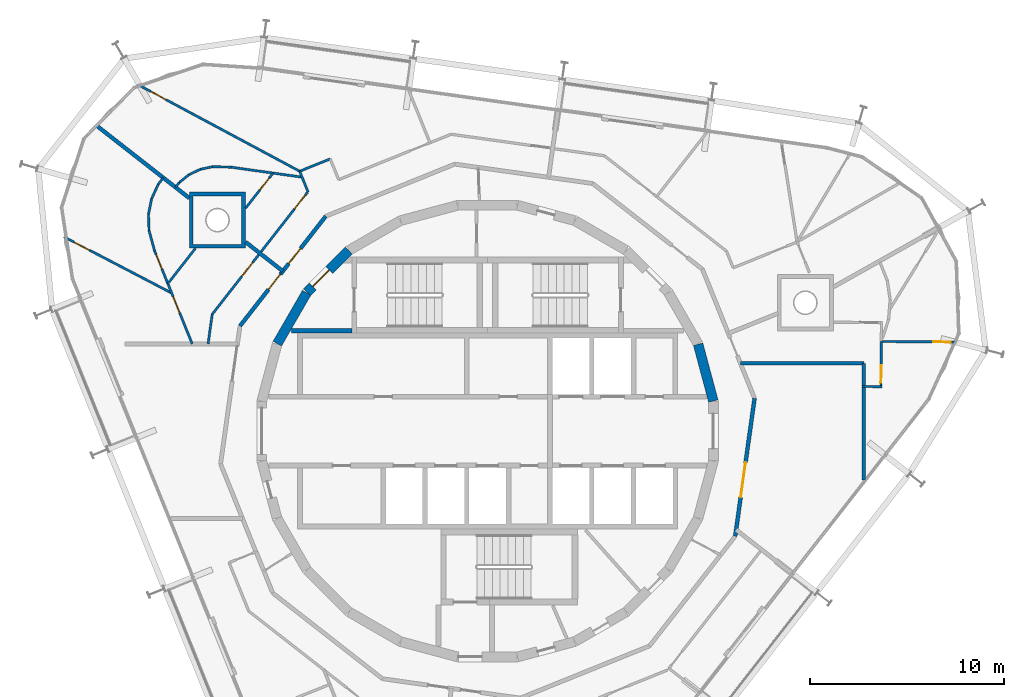
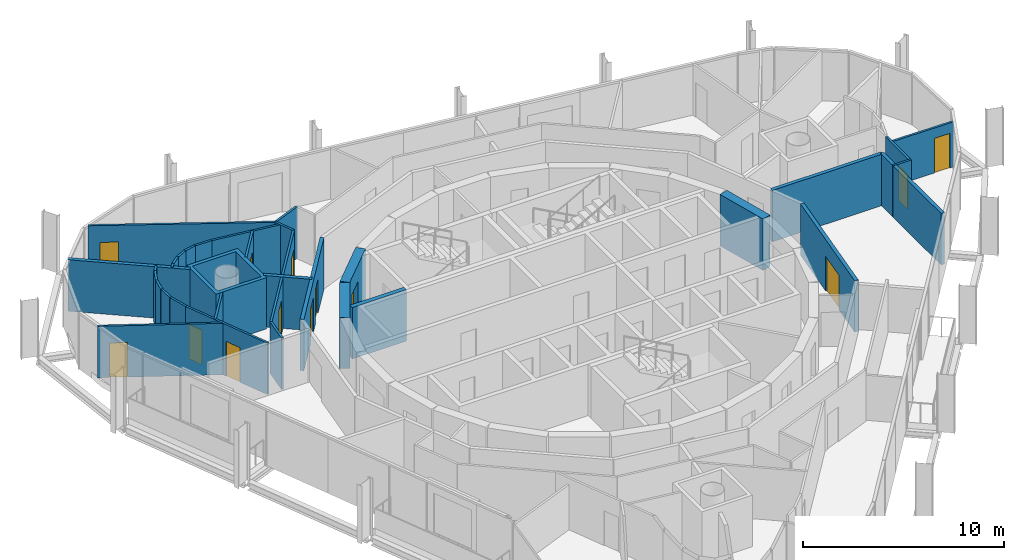
# One storey, part 12 of 15: 34 walls, 13 doors, 13 openings.
"""IFC4 building model written with IfcOpenShell, lengths in metres."""

from ifc_helpers import new_model, si_unit, direction, frame, frame_2d, origin, place, context, subcontext, project, spatial, polyline, rectangle, outline, extrude, material, layer, layer_set, type_object, element, fill, save


model = new_model("IFC4")

# Units and contexts
model_context = context("Model", 3, precision=1e-05, world=origin(), true_north=direction((0.0, 1.0)))
body_context = subcontext(model_context, "Body", "Model", "MODEL_VIEW")
ifc_project = project(units=[si_unit("LENGTHUNIT", "METRE"), si_unit("AREAUNIT", "SQUARE_METRE"), si_unit("VOLUMEUNIT", "CUBIC_METRE"), si_unit("PLANEANGLEUNIT", "RADIAN"), si_unit("MASSUNIT", "GRAM", prefix="KILO")], contexts=[model_context])

# Site, building, storey
site_placement = place(None, origin())
site = spatial("IfcSite", under=ifc_project, at=site_placement, CompositionType="ELEMENT")
building_placement = place(site_placement, origin())
building = spatial("IfcBuilding", under=site, at=building_placement, Name="Spindle Arch Residences", CompositionType="ELEMENT")
storey_placement = place(building_placement, frame((0.0, 0.0, 343.5)))
storey = spatial("IfcBuildingStorey", under=building, at=storey_placement, Name="L88", CompositionType="ELEMENT", Elevation=343.5)

# Wall
ifc_material_1 = material(Name="Concrete C50/60", Category="concrete")
ifc_layer_1 = layer(ifc_material_1, 0.5)
ifc_layer_set_1 = layer_set([ifc_layer_1], Name="Core outline wall 500")
wall_type_1 = type_object("IfcWallType", Name="Core outline wall 500", PredefinedType="SHEAR", material=ifc_layer_set_1)
wall_1_placement = place(storey_placement, frame((11.642822265625, 1.5498046875, 0.0), z_axis=(0.0, 0.0, 1.0), x_axis=(-0.258734743916, 0.965948410781, 0.0)))
element("IfcWall", 1, at=wall_1_placement, inside=storey, type_object=wall_type_1, Name="Core outline wall 7", PredefinedType="SHEAR", context=body_context, shape_type="SweptSolid", body=[
    extrude(rectangle(XDim=3.03271484375, YDim=0.5, at=frame_2d((1.516357421875, 0.0))), origin(), (0.0, 0.0, 1.0), 3.1201171875),
])

# Wall, opening, door
wall_2_placement = place(storey_placement, frame((-7.163818359375, 9.30810546875, 0.0), z_axis=(0.0, 0.0, 1.0), x_axis=(-0.707106781187, -0.707106781187, 0.0)))
wall_2 = element("IfcWall", 2, at=wall_2_placement, inside=storey, type_object=wall_type_1, Name="Core outline wall 15", PredefinedType="SHEAR", context=body_context, shape_type="SweptSolid", body=[
    extrude(rectangle(XDim=3.032470703125, YDim=0.5, at=frame_2d((1.51611328125, 0.0))), origin(), (0.0, 0.0, 1.0), 3.1201171875),
])
opening_1_placement = place(wall_2_placement, frame((1.416259765625, 0.0, 0.0)))
opening_1 = element("IfcOpeningElement", 3, at=opening_1_placement, cuts=wall_2, Name="Opening R9B1-AD02", PredefinedType="OPENING", context=body_context, shape_type="SweptSolid", body=[
    extrude(rectangle(XDim=1.199951171875, YDim=2.10009765625, at=frame_2d((0.60009765625, 1.050048828125))), frame((0.0, 0.260009765625, 0.0), z_axis=(0.0, -1.0, 0.0), x_axis=(1.0, 0.0, 0.0)), (0.0, 0.0, 1.0), 0.52001953125),
])
ifc_material_2 = material(Name="Steel, fire-resisting door", Category="steel")
door_type_1 = type_object("IfcDoorType", Name="Stair airlock door 1200x2100", OperationType="SINGLE_SWING_LEFT", PredefinedType="DOOR", material=ifc_material_2)
door_1_placement = place(opening_1_placement, origin())
door_1 = element("IfcDoor", 4, at=door_1_placement, inside=storey, type_object=door_type_1, Name="Stair airlock door R9B1-AD02", OperationType="SINGLE_SWING_RIGHT", OverallHeight=2.10009765625, OverallWidth=1.199951171875, PredefinedType="DOOR", context=body_context, shape_type="SweptSolid", body=[
    extrude(rectangle(XDim=1.199951171875, YDim=2.10009765625, at=frame_2d((0.60009765625, 1.050048828125))), frame((0.0, 0.02490234375, 0.0), z_axis=(0.0, -1.0, 0.0), x_axis=(1.0, 0.0, 0.0)), (0.0, 0.0, 1.0), 0.050048828125),
])
fill(opening_1, door_1)

# Wall
wall_3_placement = place(storey_placement, frame((-9.32861328125, 7.13671875, 0.0), z_axis=(0.0, 0.0, 1.0), x_axis=(-0.500087131594, -0.865975092491, 0.0)))
element("IfcWall", 5, at=wall_3_placement, inside=storey, type_object=wall_type_1, Name="Core outline wall 16", PredefinedType="SHEAR", context=body_context, shape_type="SweptSolid", body=[
    extrude(rectangle(XDim=3.03271484375, YDim=0.5, at=frame_2d((1.516357421875, 0.0))), origin(), (0.0, 0.0, 1.0), 3.1201171875),
])

# Wall, openings, doors
ifc_material_3 = material(Name="Calcium silicate block, plastered")
ifc_layer_2 = layer(ifc_material_3, 0.199951171875)
ifc_layer_set_2 = layer_set([ifc_layer_2], Name="Corridor wall 200")
wall_type_2 = type_object("IfcWallType", Name="Corridor wall 200", PredefinedType="STANDARD", material=ifc_layer_set_2)
wall_4_placement = place(storey_placement, frame((-8.348876953125, 11.0791015625, 0.0), z_axis=(0.0, 0.0, 1.0), x_axis=(-0.615669112324, -0.78800478687, 0.0)))
wall_4 = element("IfcWall", 6, at=wall_4_placement, inside=storey, type_object=wall_type_2, Name="Corridor wall R9B1-W012", PredefinedType="STANDARD", context=body_context, shape_type="SweptSolid", body=[
    extrude(rectangle(XDim=7.18115234375, YDim=0.199951171875, at=frame_2d((3.590576171875, 0.0))), origin(), (0.0, 0.0, 1.0), 3.1201171875),
])
opening_2_placement = place(wall_4_placement, frame((2.10009765625, 0.0, 0.0)))
opening_2 = element("IfcOpeningElement", 7, at=opening_2_placement, cuts=wall_4, Name="Opening R9B1-FD03", PredefinedType="OPENING", context=body_context, shape_type="SweptSolid", body=[
    extrude(rectangle(XDim=1.0, YDim=2.10009765625, at=frame_2d((0.5, 1.050048828125))), frame((0.0, 0.10986328125, 0.0), z_axis=(0.0, -1.0, 0.0), x_axis=(1.0, 0.0, 0.0)), (0.0, 0.0, 1.0), 0.219970703125),
])
opening_3_placement = place(wall_4_placement, frame((3.790283203125, 0.0, 0.0)))
opening_3 = element("IfcOpeningElement", 8, at=opening_3_placement, cuts=wall_4, Name="Opening R9B1-FD04", PredefinedType="OPENING", context=body_context, shape_type="SweptSolid", body=[
    extrude(rectangle(XDim=1.0, YDim=2.10009765625, at=frame_2d((0.5, 1.050048828125))), frame((0.0, 0.10986328125, 0.0), z_axis=(0.0, -1.0, 0.0), x_axis=(1.0, 0.0, 0.0)), (0.0, 0.0, 1.0), 0.219970703125),
])
ifc_material_4 = material(Name="Timber, fire-resisting door set", Category="wood")
door_type_2 = type_object("IfcDoorType", Name="Flat entrance door 1000x2100", OperationType="NOTDEFINED", PredefinedType="DOOR", material=ifc_material_4)
door_2_placement = place(opening_2_placement, origin())
door_2 = element("IfcDoor", 9, at=door_2_placement, inside=storey, type_object=door_type_2, Name="Flat entrance door R9B1-FD03", OperationType="SINGLE_SWING_RIGHT", OverallHeight=2.10009765625, OverallWidth=1.0, PredefinedType="DOOR", context=body_context, shape_type="SweptSolid", body=[
    extrude(rectangle(XDim=1.0, YDim=2.10009765625, at=frame_2d((0.5, 1.050048828125))), frame((0.0, 0.02490234375, 0.0), z_axis=(0.0, -1.0, 0.0), x_axis=(1.0, 0.0, 0.0)), (0.0, 0.0, 1.0), 0.050048828125),
])
fill(opening_2, door_2)
door_3_placement = place(opening_3_placement, origin())
door_3 = element("IfcDoor", 10, at=door_3_placement, inside=storey, type_object=door_type_2, Name="Flat entrance door R9B1-FD04", OperationType="SINGLE_SWING_LEFT", OverallHeight=2.10009765625, OverallWidth=1.0, PredefinedType="DOOR", context=body_context, shape_type="SweptSolid", body=[
    extrude(rectangle(XDim=1.0, YDim=2.10009765625, at=frame_2d((0.5, 1.050048828125))), frame((0.0, 0.02490234375, 0.0), z_axis=(0.0, -1.0, 0.0), x_axis=(1.0, 0.0, 0.0)), (0.0, 0.0, 1.0), 0.050048828125),
])
fill(opening_3, door_3)

# Wall, opening, door
ifc_material_5 = material(Name="Calcium silicate block, plastered")
ifc_layer_3 = layer(ifc_material_5, 0.199951171875)
ifc_layer_set_3 = layer_set([ifc_layer_3], Name="Fire-lift lobby bay wall 200")
wall_type_3 = type_object("IfcWallType", Name="Fire-lift lobby bay wall 200", PredefinedType="STANDARD", material=ifc_layer_set_3)
wall_5_placement = place(storey_placement, frame((12.77001953125, -5.42041015625, 0.0), z_axis=(0.0, 0.0, 1.0), x_axis=(0.139155334385, 0.990270565508, 0.0)))
wall_5 = element("IfcWall", 11, at=wall_5_placement, inside=storey, type_object=wall_type_3, Name="Fire-lift lobby bay wall R9B1-W004", PredefinedType="STANDARD", context=body_context, shape_type="SweptSolid", body=[
    extrude(rectangle(XDim=7.180908203125, YDim=0.199951171875, at=frame_2d((3.59033203125, 0.0))), origin(), (0.0, 0.0, 1.0), 3.1201171875),
])
opening_4_placement = place(wall_5_placement, frame((2.039306640625, 0.0, 0.0)))
opening_4 = element("IfcOpeningElement", 12, at=opening_4_placement, cuts=wall_5, Name="Opening R9B1-FB01", PredefinedType="OPENING", context=body_context, shape_type="SweptSolid", body=[
    extrude(rectangle(XDim=1.800048828125, YDim=2.10009765625, at=frame_2d((0.89990234375, 1.050048828125))), frame((0.0, 0.10986328125, 0.0), z_axis=(0.0, -1.0, 0.0), x_axis=(1.0, 0.0, 0.0)), (0.0, 0.0, 1.0), 0.219970703125),
])
ifc_material_6 = material(Name="Steel, fire-resisting door", Category="steel")
door_type_3 = type_object("IfcDoorType", Name="Fire-lift lobby bay door 1800x2100", OperationType="NOTDEFINED", PredefinedType="DOOR", material=ifc_material_6)
door_4_placement = place(opening_4_placement, origin())
door_4 = element("IfcDoor", 13, at=door_4_placement, inside=storey, type_object=door_type_3, Name="Fire-lift lobby bay door R9B1-FB01", OperationType="DOUBLE_DOOR_SINGLE_SWING", OverallHeight=2.10009765625, OverallWidth=1.800048828125, PredefinedType="DOOR", context=body_context, shape_type="SweptSolid", body=[
    extrude(rectangle(XDim=1.800048828125, YDim=2.10009765625, at=frame_2d((0.89990234375, 1.050048828125))), frame((0.0, 0.02490234375, 0.0), z_axis=(0.0, -1.0, 0.0), x_axis=(1.0, 0.0, 0.0)), (0.0, 0.0, 1.0), 0.050048828125),
])
fill(opening_4, door_4)

# Walls
wall_6_placement = place(storey_placement, frame((19.39990234375, -2.519287109375, 0.0), z_axis=(0.0, 0.0, 1.0), x_axis=(0.0, 1.0, 0.0)))
element("IfcWall", 14, at=wall_6_placement, inside=storey, type_object=wall_type_3, Name="Fire-lift lobby bay wall R9B1-W019", PredefinedType="STANDARD", context=body_context, shape_type="SweptSolid", body=[
    extrude(rectangle(XDim=6.019287109375, YDim=0.199951171875, at=frame_2d((3.009765625, 0.0))), origin(), (0.0, 0.0, 1.0), 3.1201171875),
])
wall_7_placement = place(storey_placement, frame((19.39990234375, 3.5, 0.0), z_axis=(0.0, 0.0, 1.0), x_axis=(-1.0, 0.0, 0.0)))
element("IfcWall", 15, at=wall_7_placement, inside=storey, type_object=wall_type_3, Name="Fire-lift lobby bay wall R9B1-W020", PredefinedType="STANDARD", context=body_context, shape_type="SweptSolid", body=[
    extrude(rectangle(XDim=6.361572265625, YDim=0.199951171875, at=frame_2d((3.1806640625, 0.0))), origin(), (0.0, 0.0, 1.0), 3.1201171875),
])
ifc_material_7 = material(Name="Plasterboard on steel studs", Category="steel")
ifc_layer_4 = layer(ifc_material_7, 0.1201171875)
ifc_layer_set_4 = layer_set([ifc_layer_4], Name="Flat partition 120")
wall_type_4 = type_object("IfcWallType", Name="Flat partition 120", PredefinedType="PARTITIONING", material=ifc_layer_set_4)
wall_8_placement = place(storey_placement, frame((19.300048828125, 2.302001953125, 0.0), z_axis=(0.0, 0.0, 1.0), x_axis=(0.999958506341, -0.009109643015, 0.0)))
element("IfcWall", 16, at=wall_8_placement, inside=storey, type_object=wall_type_4, Name="Flat partition R9B1-W030", PredefinedType="PARTITIONING", context=body_context, shape_type="SweptSolid", body=[
    extrude(rectangle(XDim=1.045166015625, YDim=0.1201171875, at=frame_2d((0.5224609375, 0.0))), origin(), (0.0, 0.0, 1.0), 3.1201171875),
])

# Wall, opening, door
wall_9_placement = place(storey_placement, frame((20.285400390625, 2.29296875, 0.0), z_axis=(0.0, 0.0, 1.0), x_axis=(0.008900171034, 0.999960392693, 0.0)))
wall_9 = element("IfcWall", 17, at=wall_9_placement, inside=storey, type_object=wall_type_4, Name="Flat partition R9B1-W031", PredefinedType="PARTITIONING", context=body_context, shape_type="SweptSolid", body=[
    extrude(rectangle(XDim=2.33154296875, YDim=0.1201171875, at=frame_2d((1.165771484375, 0.0))), origin(), (0.0, 0.0, 1.0), 3.1201171875),
])
opening_5_placement = place(wall_9_placement, frame((0.199951171875, 0.0, 0.0)))
opening_5 = element("IfcOpeningElement", 18, at=opening_5_placement, cuts=wall_9, Name="Opening R9B1-ID01", PredefinedType="OPENING", context=body_context, shape_type="SweptSolid", body=[
    extrude(rectangle(XDim=0.89990234375, YDim=2.10009765625, at=frame_2d((0.449951171875, 1.050048828125))), frame((0.0, 0.070068359375, 0.0), z_axis=(0.0, -1.0, 0.0), x_axis=(1.0, 0.0, 0.0)), (0.0, 0.0, 1.0), 0.14013671875),
])
ifc_material_8 = material(Name="Timber door set", Category="wood")
door_type_4 = type_object("IfcDoorType", Name="Room door 900x2100", OperationType="NOTDEFINED", PredefinedType="DOOR", material=ifc_material_8)
door_5_placement = place(opening_5_placement, origin())
door_5 = element("IfcDoor", 19, at=door_5_placement, inside=storey, type_object=door_type_4, Name="Room door R9B1-ID01", OperationType="SINGLE_SWING_RIGHT", OverallHeight=2.10009765625, OverallWidth=0.89990234375, PredefinedType="DOOR", context=body_context, shape_type="SweptSolid", body=[
    extrude(rectangle(XDim=0.89990234375, YDim=2.10009765625, at=frame_2d((0.449951171875, 1.050048828125))), frame((0.0, 0.02490234375, 0.0), z_axis=(0.0, -1.0, 0.0), x_axis=(1.0, 0.0, 0.0)), (0.0, 0.0, 1.0), 0.050048828125),
])
fill(opening_5, door_5)

# Walls
wall_10_placement = place(storey_placement, frame((-8.114501953125, 14.03857421875, 0.0), z_axis=(0.0, 0.0, 1.0), x_axis=(-0.927153589835, -0.374681492546, 0.0)))
element("IfcWall", 20, at=wall_10_placement, inside=storey, type_object=wall_type_4, Name="Flat partition R9B1-W051", PredefinedType="PARTITIONING", context=body_context, shape_type="SweptSolid", body=[
    extrude(rectangle(XDim=1.699951171875, YDim=0.1201171875, at=frame_2d((0.85009765625, 0.0))), origin(), (0.0, 0.0, 1.0), 3.1201171875),
])
wall_11_placement = place(storey_placement, frame((-9.690673828125, 13.401611328125, 0.0), z_axis=(0.0, 0.0, 1.0), x_axis=(0.374484003097, -0.927233374844, 0.0)))
element("IfcWall", 21, at=wall_11_placement, inside=storey, type_object=wall_type_4, Name="Flat partition R9B1-W052", PredefinedType="PARTITIONING", context=body_context, shape_type="SweptSolid", body=[
    extrude(rectangle(XDim=1.156005859375, YDim=0.1201171875, at=frame_2d((0.578125, 0.0))), origin(), (0.0, 0.0, 1.0), 3.1201171875),
])

# Wall, openings, doors
wall_12_placement = place(storey_placement, frame((-9.283447265625, 12.3193359375, 0.0), z_axis=(0.0, 0.0, 1.0), x_axis=(-0.61567489546, -0.788000268464, 0.0)))
wall_12 = element("IfcWall", 22, at=wall_12_placement, inside=storey, type_object=wall_type_4, Name="Flat partition R9B1-W053", PredefinedType="PARTITIONING", context=body_context, shape_type="SweptSolid", body=[
    extrude(rectangle(XDim=7.98486328125, YDim=0.1201171875, at=frame_2d((3.992431640625, 0.0))), origin(), (0.0, 0.0, 1.0), 3.1201171875),
])
opening_6_placement = place(wall_12_placement, frame((0.199951171875, 0.0, 0.0)))
opening_6 = element("IfcOpeningElement", 23, at=opening_6_placement, cuts=wall_12, Name="Opening R9B1-ID10", PredefinedType="OPENING", context=body_context, shape_type="SweptSolid", body=[
    extrude(rectangle(XDim=0.89990234375, YDim=2.10009765625, at=frame_2d((0.449951171875, 1.050048828125))), frame((0.0, 0.070068359375, 0.0), z_axis=(0.0, -1.0, 0.0), x_axis=(1.0, 0.0, 0.0)), (0.0, 0.0, 1.0), 0.14013671875),
])
opening_7_placement = place(wall_12_placement, frame((4.59228515625, 0.0, 0.0)))
opening_7 = element("IfcOpeningElement", 24, at=opening_7_placement, cuts=wall_12, Name="Opening R9B1-ID12", PredefinedType="OPENING", context=body_context, shape_type="SweptSolid", body=[
    extrude(rectangle(XDim=0.89990234375, YDim=2.10009765625, at=frame_2d((0.449951171875, 1.050048828125))), frame((0.0, 0.070068359375, 0.0), z_axis=(0.0, -1.0, 0.0), x_axis=(1.0, 0.0, 0.0)), (0.0, 0.0, 1.0), 0.14013671875),
])
door_6_placement = place(opening_6_placement, origin())
door_6 = element("IfcDoor", 25, at=door_6_placement, inside=storey, type_object=door_type_4, Name="Room door R9B1-ID10", OperationType="SINGLE_SWING_RIGHT", OverallHeight=2.10009765625, OverallWidth=0.89990234375, PredefinedType="DOOR", context=body_context, shape_type="SweptSolid", body=[
    extrude(rectangle(XDim=0.89990234375, YDim=2.10009765625, at=frame_2d((0.449951171875, 1.050048828125))), frame((0.0, 0.02490234375, 0.0), z_axis=(0.0, -1.0, 0.0), x_axis=(1.0, 0.0, 0.0)), (0.0, 0.0, 1.0), 0.050048828125),
])
fill(opening_6, door_6)
door_7_placement = place(opening_7_placement, origin())
door_7 = element("IfcDoor", 26, at=door_7_placement, inside=storey, type_object=door_type_4, Name="Room door R9B1-ID12", OperationType="SINGLE_SWING_LEFT", OverallHeight=2.10009765625, OverallWidth=0.89990234375, PredefinedType="DOOR", context=body_context, shape_type="SweptSolid", body=[
    extrude(rectangle(XDim=0.89990234375, YDim=2.10009765625, at=frame_2d((0.449951171875, 1.050048828125))), frame((0.0, 0.02490234375, 0.0), z_axis=(0.0, -1.0, 0.0), x_axis=(1.0, 0.0, 0.0)), (0.0, 0.0, 1.0), 0.050048828125),
])
fill(opening_7, door_7)

# Wall, opening, door
wall_13_placement = place(storey_placement, frame((-17.895751953125, 17.796630859375, 0.0), z_axis=(0.0, 0.0, 1.0), x_axis=(0.88150492406, -0.4721748287, 0.0)))
wall_13 = element("IfcWall", 27, at=wall_13_placement, inside=storey, type_object=wall_type_4, Name="Flat partition R9B1-W055", PredefinedType="PARTITIONING", context=body_context, shape_type="SweptSolid", body=[
    extrude(rectangle(XDim=9.30810546875, YDim=0.1201171875, at=frame_2d((4.654052734375, 0.0))), origin(), (0.0, 0.0, 1.0), 3.1201171875),
])
opening_8_placement = place(wall_13_placement, frame((0.60009765625, 0.0, 0.0)))
opening_8 = element("IfcOpeningElement", 28, at=opening_8_placement, cuts=wall_13, Name="Opening R9B1-ID11", PredefinedType="OPENING", context=body_context, shape_type="SweptSolid", body=[
    extrude(rectangle(XDim=0.89990234375, YDim=2.10009765625, at=frame_2d((0.449951171875, 1.050048828125))), frame((0.0, 0.070068359375, 0.0), z_axis=(0.0, -1.0, 0.0), x_axis=(1.0, 0.0, 0.0)), (0.0, 0.0, 1.0), 0.14013671875),
])
door_8_placement = place(opening_8_placement, origin())
door_8 = element("IfcDoor", 29, at=door_8_placement, inside=storey, type_object=door_type_4, Name="Room door R9B1-ID11", OperationType="SINGLE_SWING_RIGHT", OverallHeight=2.10009765625, OverallWidth=0.89990234375, PredefinedType="DOOR", context=body_context, shape_type="SweptSolid", body=[
    extrude(rectangle(XDim=0.89990234375, YDim=2.10009765625, at=frame_2d((0.449951171875, 1.050048828125))), frame((0.0, 0.02490234375, 0.0), z_axis=(0.0, -1.0, 0.0), x_axis=(1.0, 0.0, 0.0)), (0.0, 0.0, 1.0), 0.050048828125),
])
fill(opening_8, door_8)

wall_14_placement = place(storey_placement, frame((-11.063720703125, 13.3076171875, 0.0), z_axis=(0.0, 0.0, 1.0), x_axis=(-0.615681126827, -0.787995399777, 0.0)))
wall_14 = element("IfcWall", 30, at=wall_14_placement, inside=storey, type_object=wall_type_4, Name="Flat partition R9B1-W056", PredefinedType="PARTITIONING", context=body_context, shape_type="SweptSolid", body=[
    extrude(rectangle(XDim=2.299560546875, YDim=0.1201171875, at=frame_2d((1.14990234375, 0.0))), origin(), (0.0, 0.0, 1.0), 3.1201171875),
])
opening_9_placement = place(wall_14_placement, frame((0.320068359375, 0.0, 0.0)))
opening_9 = element("IfcOpeningElement", 31, at=opening_9_placement, cuts=wall_14, Name="Opening R9B1-BD03", PredefinedType="OPENING", context=body_context, shape_type="SweptSolid", body=[
    extrude(rectangle(XDim=0.800048828125, YDim=2.10009765625, at=frame_2d((0.39990234375, 1.050048828125))), frame((0.0, 0.070068359375, 0.0), z_axis=(0.0, -1.0, 0.0), x_axis=(1.0, 0.0, 0.0)), (0.0, 0.0, 1.0), 0.14013671875),
])
ifc_material_9 = material(Name="Timber door set", Category="wood")
door_type_5 = type_object("IfcDoorType", Name="Bathroom door 800x2100", OperationType="NOTDEFINED", PredefinedType="DOOR", material=ifc_material_9)
door_9_placement = place(opening_9_placement, origin())
door_9 = element("IfcDoor", 32, at=door_9_placement, inside=storey, type_object=door_type_5, Name="Bathroom door R9B1-BD03", OperationType="SINGLE_SWING_RIGHT", OverallHeight=2.10009765625, OverallWidth=0.800048828125, PredefinedType="DOOR", context=body_context, shape_type="SweptSolid", body=[
    extrude(rectangle(XDim=0.800048828125, YDim=2.10009765625, at=frame_2d((0.39990234375, 1.050048828125))), frame((0.0, 0.02490234375, 0.0), z_axis=(0.0, -1.0, 0.0), x_axis=(1.0, 0.0, 0.0)), (0.0, 0.0, 1.0), 0.050048828125),
])
fill(opening_9, door_9)

# Walls
wall_15_placement = place(storey_placement, frame((-9.56787109375, 13.097412109375, 0.0), z_axis=(0.0, 0.0, 1.0), x_axis=(-0.990266931728, 0.13918119099, 0.0)))
element("IfcWall", 33, at=wall_15_placement, inside=storey, type_object=wall_type_4, Name="Flat partition R9B1-W057", PredefinedType="PARTITIONING", context=body_context, shape_type="SweptSolid", body=[
    extrude(rectangle(XDim=3.708251953125, YDim=0.1201171875, at=frame_2d((1.85400390625, 0.0))), origin(), (0.0, 0.0, 1.0), 3.1201171875),
])
wall_16_placement = place(storey_placement, frame((-13.239990234375, 13.613525390625, 0.0), z_axis=(0.0, 0.0, 1.0), x_axis=(-0.999730529074, 0.023213557177, 0.0)))
element("IfcWall", 34, at=wall_16_placement, inside=storey, type_object=wall_type_4, Name="Flat partition R9B1-W058", PredefinedType="PARTITIONING", context=body_context, shape_type="SweptSolid", body=[
    extrude(rectangle(XDim=0.946533203125, YDim=0.1201171875, at=frame_2d((0.47314453125, 0.0))), origin(), (0.0, 0.0, 1.0), 3.1201171875),
])
wall_17_placement = place(storey_placement, frame((-14.186279296875, 13.635498046875, 0.0), z_axis=(0.0, 0.0, 1.0), x_axis=(-0.978217752025, -0.207581380725, 0.0)))
element("IfcWall", 35, at=wall_17_placement, inside=storey, type_object=wall_type_4, Name="Flat partition R9B1-W059", PredefinedType="PARTITIONING", context=body_context, shape_type="SweptSolid", body=[
    extrude(rectangle(XDim=0.64208984375, YDim=0.1201171875, at=frame_2d((0.321044921875, 0.0))), origin(), (0.0, 0.0, 1.0), 3.1201171875),
])
for number, where, z_axis, x_axis, name in (
    (36, (-14.814453125, 13.502197265625, 0.0), (0.0, 0.0, 1.0), (-0.903660381662, -0.428249827337, 0.0), "Flat partition R9B1-W060"),
    (37, (-15.39453125, 13.227294921875, 0.0), (0.0, 0.0, 1.0), (-0.780943026594, -0.624602264816, 0.0), "Flat partition R9B1-W061"),
):
    element("IfcWall", number, at=place(storey_placement, frame(where, z_axis=z_axis, x_axis=x_axis)), inside=storey, type_object=wall_type_4, Name=name, PredefinedType="PARTITIONING", context=body_context, shape_type="SweptSolid", body=[
        extrude(rectangle(XDim=0.641845703125, YDim=0.1201171875, at=frame_2d((0.32080078125, 0.0))), origin(), (0.0, 0.0, 1.0), 3.1201171875),
    ])
wall_18_placement = place(storey_placement, frame((-15.895751953125, 12.826416015625, 0.0), z_axis=(0.0, 0.0, 1.0), x_axis=(-0.615466865985, -0.788162760396, 0.0)))
element("IfcWall", 38, at=wall_18_placement, inside=storey, type_object=wall_type_4, Name="Flat partition R9B1-W062", PredefinedType="PARTITIONING", context=body_context, shape_type="SweptSolid", body=[
    extrude(rectangle(XDim=0.32080078125, YDim=0.1201171875, at=frame_2d((0.160400390625, 0.0))), origin(), (0.0, 0.0, 1.0), 3.1201171875),
])
wall_19_placement = place(storey_placement, frame((-14.199462890625, 6.02734375, 0.0), z_axis=(0.0, 0.0, 1.0), x_axis=(-0.139138413837, -0.990272943079, 0.0)))
element("IfcWall", 39, at=wall_19_placement, inside=storey, type_object=wall_type_4, Name="Flat partition R9B1-W063", PredefinedType="PARTITIONING", context=body_context, shape_type="SweptSolid", body=[
    extrude(rectangle(XDim=1.542236328125, YDim=0.1201171875, at=frame_2d((0.77099609375, 0.0))), origin(), (0.0, 0.0, 1.0), 3.1201171875),
])
wall_20_placement = place(storey_placement, frame((-16.7236328125, 13.066162109375, 0.0), z_axis=(0.0, 0.0, 1.0), x_axis=(-0.615895388651, -0.787827944565, 0.0)))
element("IfcWall", 40, at=wall_20_placement, inside=storey, type_object=wall_type_4, Name="Flat partition R9B1-W064", PredefinedType="PARTITIONING", context=body_context, shape_type="SweptSolid", body=[
    extrude(rectangle(XDim=0.41455078125, YDim=0.1201171875, at=frame_2d((0.207275390625, 0.0))), origin(), (0.0, 0.0, 1.0), 3.1201171875),
])
for number, where, z_axis, x_axis, name in (
    (41, (-16.97900390625, 12.739501953125, 0.0), (0.0, 0.0, 1.0), (-0.417040041866, -0.90888811384, 0.0), "Flat partition R9B1-W065"),
    (42, (-17.32470703125, 11.986083984375, 0.0), (0.0, 0.0, 1.0), (-0.196739117864, -0.980455873307, 0.0), "Flat partition R9B1-W066"),
    (43, (-17.48779296875, 11.17333984375, 0.0), (0.0, 0.0, 1.0), (0.03505065691, -0.999385536943, 0.0), "Flat partition R9B1-W067"),
):
    element("IfcWall", number, at=place(storey_placement, frame(where, z_axis=z_axis, x_axis=x_axis)), inside=storey, type_object=wall_type_4, Name=name, PredefinedType="PARTITIONING", context=body_context, shape_type="SweptSolid", body=[
        extrude(rectangle(XDim=0.828857421875, YDim=0.1201171875, at=frame_2d((0.41455078125, 0.0))), origin(), (0.0, 0.0, 1.0), 3.1201171875),
    ])
wall_21_placement = place(storey_placement, frame((-17.458740234375, 10.344970703125, 0.0), z_axis=(0.0, 0.0, 1.0), x_axis=(0.264409755069, -0.964410432038, 0.0)))
element("IfcWall", 44, at=wall_21_placement, inside=storey, type_object=wall_type_4, Name="Flat partition R9B1-W068", PredefinedType="PARTITIONING", context=body_context, shape_type="SweptSolid", body=[
    extrude(rectangle(XDim=1.086669921875, YDim=0.1201171875, at=frame_2d((0.54345703125, 0.0))), origin(), (0.0, 0.0, 1.0), 3.1201171875),
])

# Wall, openings, doors
wall_22_placement = place(storey_placement, frame((-17.17138671875, 9.296875, 0.0), z_axis=(0.0, 0.0, 1.0), x_axis=(0.374594127493, -0.927188891029, 0.0)))
wall_22 = element("IfcWall", 45, at=wall_22_placement, inside=storey, type_object=wall_type_4, Name="Flat partition R9B1-W069", PredefinedType="PARTITIONING", context=body_context, shape_type="SweptSolid", body=[
    extrude(rectangle(XDim=5.173583984375, YDim=0.1201171875, at=frame_2d((2.5869140625, 0.0))), origin(), (0.0, 0.0, 1.0), 3.1201171875),
])
opening_10_placement = place(wall_22_placement, frame((2.548095703125, 0.0, 0.0)))
opening_10 = element("IfcOpeningElement", 46, at=opening_10_placement, cuts=wall_22, Name="Opening R9B1-ID13", PredefinedType="OPENING", context=body_context, shape_type="SweptSolid", body=[
    extrude(rectangle(XDim=0.89990234375, YDim=2.10009765625, at=frame_2d((0.449951171875, 1.050048828125))), frame((0.0, 0.070068359375, 0.0), z_axis=(0.0, -1.0, 0.0), x_axis=(1.0, 0.0, 0.0)), (0.0, 0.0, 1.0), 0.14013671875),
])
opening_11_placement = place(wall_22_placement, frame((0.199951171875, 0.0, 0.0)))
opening_11 = element("IfcOpeningElement", 47, at=opening_11_placement, cuts=wall_22, Name="Opening R9B1-BD04", PredefinedType="OPENING", context=body_context, shape_type="SweptSolid", body=[
    extrude(rectangle(XDim=0.800048828125, YDim=2.10009765625, at=frame_2d((0.39990234375, 1.050048828125))), frame((0.0, 0.070068359375, 0.0), z_axis=(0.0, -1.0, 0.0), x_axis=(1.0, 0.0, 0.0)), (0.0, 0.0, 1.0), 0.14013671875),
])
door_10_placement = place(opening_11_placement, origin())
door_10 = element("IfcDoor", 48, at=door_10_placement, inside=storey, type_object=door_type_5, Name="Bathroom door R9B1-BD04", OperationType="SINGLE_SWING_RIGHT", OverallHeight=2.10009765625, OverallWidth=0.800048828125, PredefinedType="DOOR", context=body_context, shape_type="SweptSolid", body=[
    extrude(rectangle(XDim=0.800048828125, YDim=2.10009765625, at=frame_2d((0.39990234375, 1.050048828125))), frame((0.0, 0.02490234375, 0.0), z_axis=(0.0, -1.0, 0.0), x_axis=(1.0, 0.0, 0.0)), (0.0, 0.0, 1.0), 0.050048828125),
])
fill(opening_11, door_10)
door_11_placement = place(opening_10_placement, origin())
door_11 = element("IfcDoor", 49, at=door_11_placement, inside=storey, type_object=door_type_4, Name="Room door R9B1-ID13", OperationType="SINGLE_SWING_LEFT", OverallHeight=2.10009765625, OverallWidth=0.89990234375, PredefinedType="DOOR", context=body_context, shape_type="SweptSolid", body=[
    extrude(rectangle(XDim=0.89990234375, YDim=2.10009765625, at=frame_2d((0.449951171875, 1.050048828125))), frame((0.0, 0.02490234375, 0.0), z_axis=(0.0, -1.0, 0.0), x_axis=(1.0, 0.0, 0.0)), (0.0, 0.0, 1.0), 0.050048828125),
])
fill(opening_10, door_11)

# Wall
wall_23_placement = place(storey_placement, frame((-16.48828125, 7.606201171875, 0.0), z_axis=(0.0, 0.0, 1.0), x_axis=(0.615637911154, 0.788029163388, 0.0)))
element("IfcWall", 50, at=wall_23_placement, inside=storey, type_object=wall_type_4, Name="Flat partition R9B1-W070", PredefinedType="PARTITIONING", context=body_context, shape_type="SweptSolid", body=[
    extrude(rectangle(XDim=2.318359375, YDim=0.1201171875, at=frame_2d((1.1591796875, 0.0))), origin(), (0.0, 0.0, 1.0), 3.1201171875),
])

# Wall, opening, door
wall_24_placement = place(storey_placement, frame((-21.85009765625, 10.021240234375, 0.0), z_axis=(0.0, 0.0, 1.0), x_axis=(0.886479988406, -0.462766928546, 0.0)))
wall_24 = element("IfcWall", 51, at=wall_24_placement, inside=storey, type_object=wall_type_4, Name="Flat partition R9B1-W071", PredefinedType="PARTITIONING", context=body_context, shape_type="SweptSolid", body=[
    extrude(rectangle(XDim=6.27001953125, YDim=0.1201171875, at=frame_2d((3.135009765625, 0.0))), origin(), (0.0, 0.0, 1.0), 3.1201171875),
])
opening_12_placement = place(wall_24_placement, frame((0.60009765625, 0.0, 0.0)))
opening_12 = element("IfcOpeningElement", 52, at=opening_12_placement, cuts=wall_24, Name="Opening R9B1-ID14", PredefinedType="OPENING", context=body_context, shape_type="SweptSolid", body=[
    extrude(rectangle(XDim=0.89990234375, YDim=2.10009765625, at=frame_2d((0.449951171875, 1.050048828125))), frame((0.0, 0.070068359375, 0.0), z_axis=(0.0, -1.0, 0.0), x_axis=(1.0, 0.0, 0.0)), (0.0, 0.0, 1.0), 0.14013671875),
])
door_12_placement = place(opening_12_placement, origin())
door_12 = element("IfcDoor", 53, at=door_12_placement, inside=storey, type_object=door_type_4, Name="Room door R9B1-ID14", OperationType="SINGLE_SWING_LEFT", OverallHeight=2.10009765625, OverallWidth=0.89990234375, PredefinedType="DOOR", context=body_context, shape_type="SweptSolid", body=[
    extrude(rectangle(XDim=0.89990234375, YDim=2.10009765625, at=frame_2d((0.449951171875, 1.050048828125))), frame((0.0, 0.02490234375, 0.0), z_axis=(0.0, -1.0, 0.0), x_axis=(1.0, 0.0, 0.0)), (0.0, 0.0, 1.0), 0.050048828125),
])
fill(opening_12, door_12)

ifc_material_10 = material(Name="Plasterboard on steel studs", Category="steel")
ifc_layer_5 = layer(ifc_material_10, 0.1201171875)
ifc_layer_set_5 = layer_set([ifc_layer_5], Name="Flat partition 120 under beam 2730")
wall_type_5 = type_object("IfcWallType", Name="Flat partition 120 under beam 2730", PredefinedType="PARTITIONING", material=ifc_layer_set_5)
wall_25_placement = place(storey_placement, frame((24.084716796875, 4.5908203125, 0.0), z_axis=(0.0, 0.0, 1.0), x_axis=(-0.99996025077, 0.008916102255, 0.0)))
wall_25 = element("IfcWall", 54, at=wall_25_placement, inside=storey, type_object=wall_type_5, Name="Flat partition R9B1-W034", PredefinedType="PARTITIONING", context=body_context, shape_type="SweptSolid", body=[
    extrude(rectangle(XDim=3.77880859375, YDim=0.1201171875, at=frame_2d((1.889404296875, 0.0))), origin(), (0.0, 0.0, 1.0), 2.72998046875),
])
opening_13_placement = place(wall_25_placement, frame((0.199951171875, 0.0, 0.0)))
opening_13 = element("IfcOpeningElement", 55, at=opening_13_placement, cuts=wall_25, Name="Opening R9B1-ID03", PredefinedType="OPENING", context=body_context, shape_type="SweptSolid", body=[
    extrude(rectangle(XDim=0.89990234375, YDim=2.10009765625, at=frame_2d((0.449951171875, 1.050048828125))), frame((0.0, 0.070068359375, 0.0), z_axis=(0.0, -1.0, 0.0), x_axis=(1.0, 0.0, 0.0)), (0.0, 0.0, 1.0), 0.14013671875),
])
door_13_placement = place(opening_13_placement, origin())
door_13 = element("IfcDoor", 56, at=door_13_placement, inside=storey, type_object=door_type_4, Name="Room door R9B1-ID03", OperationType="SINGLE_SWING_RIGHT", OverallHeight=2.10009765625, OverallWidth=0.89990234375, PredefinedType="DOOR", context=body_context, shape_type="SweptSolid", body=[
    extrude(rectangle(XDim=0.89990234375, YDim=2.10009765625, at=frame_2d((0.449951171875, 1.050048828125))), frame((0.0, 0.02490234375, 0.0), z_axis=(0.0, -1.0, 0.0), x_axis=(1.0, 0.0, 0.0)), (0.0, 0.0, 1.0), 0.050048828125),
])
fill(opening_13, door_13)

# Walls
ifc_material_11 = material(Name="Calcium silicate block, plastered")
ifc_layer_6 = layer(ifc_material_11, 0.199951171875)
ifc_layer_set_6 = layer_set([ifc_layer_6], Name="Flat party wall 200")
wall_type_6 = type_object("IfcWallType", Name="Flat party wall 200", PredefinedType="STANDARD", material=ifc_layer_set_6)
wall_26_placement = place(storey_placement, frame((-12.4794921875, 9.75, 0.0), z_axis=(0.0, 0.0, 1.0), x_axis=(0.788050197026, -0.615610986717, 0.0)))
element("IfcWall", 57, at=wall_26_placement, inside=storey, type_object=wall_type_6, Name="Flat party wall R9B1-W025", PredefinedType="STANDARD", context=body_context, shape_type="SweptSolid", body=[
    extrude(rectangle(XDim=2.4365234375, YDim=0.199951171875, at=frame_2d((1.21826171875, 0.0))), origin(), (0.0, 0.0, 1.0), 3.1201171875),
])
wall_27_placement = place(storey_placement, frame((-20.19091796875, 15.77490234375, 0.0), z_axis=(0.0, 0.0, 1.0), x_axis=(0.788021948923, -0.615647145706, 0.0)))
element("IfcWall", 58, at=wall_27_placement, inside=storey, type_object=wall_type_6, Name="Flat party wall R9B1-W026", PredefinedType="STANDARD", context=body_context, shape_type="SweptSolid", body=[
    extrude(rectangle(XDim=6.105712890625, YDim=0.199951171875, at=frame_2d((3.052734375, 0.0))), origin(), (0.0, 0.0, 1.0), 3.1201171875),
])
ifc_material_12 = material(Name="Calcium silicate block, plastered")
ifc_layer_7 = layer(ifc_material_12, 0.199951171875)
ifc_layer_set_7 = layer_set([ifc_layer_7], Name="Mega-column casing wall 200")
wall_type_7 = type_object("IfcWallType", Name="Mega-column casing wall 200", PredefinedType="STANDARD", material=ifc_layer_set_7)
wall_28_placement = place(storey_placement, origin())
element("IfcWall", 59, at=wall_28_placement, inside=storey, type_object=wall_type_7, Name="Mega-column casing wall R9B1-WC02", PredefinedType="STANDARD", context=body_context, shape_type="SweptSolid", body=[
    extrude(outline(polyline([(-12.4794921875, 12.3330078125), (-12.4794921875, 9.43310546875), (-15.37939453125, 9.43310546875), (-15.37939453125, 12.3330078125), (-12.4794921875, 12.3330078125)]), holes=[polyline([(-15.179443359375, 9.633056640625), (-12.679443359375, 9.633056640625), (-12.679443359375, 12.133056640625), (-15.179443359375, 12.133056640625), (-15.179443359375, 9.633056640625)])]), origin(), (0.0, 0.0, 1.0), 3.1201171875),
])
ifc_material_13 = material(Name="Concrete C40/50", Category="concrete")
ifc_layer_8 = layer(ifc_material_13, 0.25)
ifc_layer_set_8 = layer_set([ifc_layer_8], Name="Stair airlock wall 250")
wall_type_8 = type_object("IfcWallType", Name="Stair airlock wall 250", PredefinedType="SHEAR", material=ifc_layer_set_8)
wall_29_placement = place(storey_placement, frame((-7.0, 5.175048828125, 0.0), z_axis=(0.0, 0.0, 1.0), x_axis=(-1.0, 0.0, 0.0)))
element("IfcWall", 60, at=wall_29_placement, inside=storey, type_object=wall_type_8, Name="Stair ST-2 airlock wall S", PredefinedType="SHEAR", context=body_context, shape_type="SweptSolid", body=[
    extrude(rectangle(XDim=3.10009765625, YDim=0.25, at=frame_2d((1.550048828125, 0.0))), origin(), (0.0, 0.0, 1.0), 3.1201171875),
])

save(model, "model.ifc")
